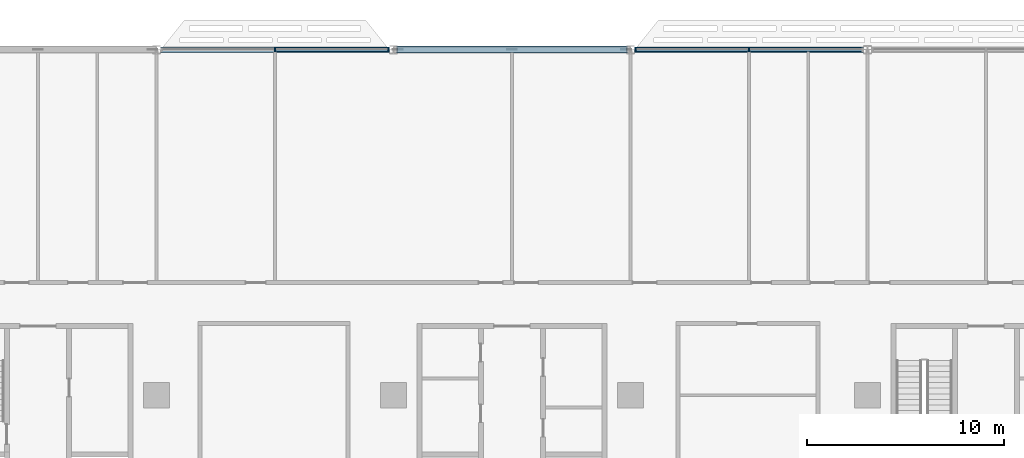
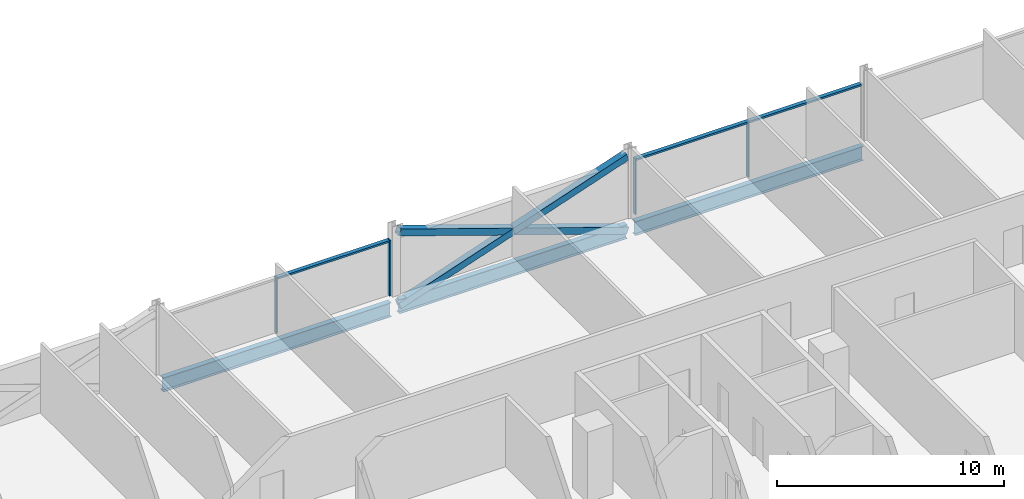
# One storey, part 7 of 29: 10 members, 3 beams, 2 elements without a shape of their own.
"""IFC4 building model written with IfcOpenShell, lengths in metres."""

from ifc_helpers import new_model, si_unit, direction, frame, origin, origin_2d, place, context, subcontext, project, spatial, rectangle, hollow_rectangle, i_section, extrude, material, material_profile, profile_set, type_object, element, aggregate, save


model = new_model("IFC4")

# Units and contexts
model_context = context("Model", 3, precision=1e-05, world=origin(), true_north=direction((0.0, 1.0)))
body_context = subcontext(model_context, "Body", "Model", "MODEL_VIEW")
ifc_project = project(units=[si_unit("LENGTHUNIT", "METRE"), si_unit("AREAUNIT", "SQUARE_METRE"), si_unit("VOLUMEUNIT", "CUBIC_METRE"), si_unit("PLANEANGLEUNIT", "RADIAN"), si_unit("MASSUNIT", "GRAM", prefix="KILO")], contexts=[model_context])

# Site, building, storey
site_placement = place(None, origin())
site = spatial("IfcSite", under=ifc_project, at=site_placement, CompositionType="ELEMENT")
building_placement = place(site_placement, origin())
building = spatial("IfcBuilding", under=site, at=building_placement, Name="Mahtab Terrace Research Tower", CompositionType="ELEMENT")
storey_placement = place(building_placement, frame((0.0, 0.0, 126.10009765625)))
storey = spatial("IfcBuildingStorey", under=building, at=storey_placement, Name="L29", CompositionType="ELEMENT", Elevation=126.10009765625)

# Members
ifc_material_1 = material(Name="Steel ASTM A500 Gr C", Category="steel")
ifc_material_profile_1 = material_profile(ifc_material_1, hollow_rectangle(XDim=0.355712890625, YDim=0.355712890625, WallThickness=0.01904296875, at=origin_2d()), Name="HSS14X14X3/4")
ifc_profile_set_1 = profile_set([ifc_material_profile_1], Name="Steel ASTM A500 Gr C")
member_type_1 = type_object("IfcMemberType", Name="HSS 14x14x3/4 brace XB141434", PredefinedType="BRACE", material=ifc_profile_set_1)
member_1_placement = place(storey_placement, frame((5.794189453125, 29.0, -0.648193359375), z_axis=(-0.946294377485, 0.0, 0.323306280699), x_axis=(0.0, -1.0, 0.0)))
element("IfcMember", 1, at=member_1_placement, inside=storey, type_object=member_type_1, Name="Exoskeleton brace L29 04 a", PredefinedType="BRACE", context=body_context, shape_type="SweptSolid", body=[
    extrude(hollow_rectangle(XDim=0.355712890625, YDim=0.355712890625, WallThickness=0.01904296875, at=origin_2d()), origin(), (0.0, 0.0, 1.0), 12.24609375),
])
for number, where, z_axis, x_axis, name in (
    (2, (-5.794189453125, 29.0, -0.648193359375), (0.946288278, 0.0, 0.323324132908), (0.0, 1.0, 0.0), "Exoskeleton brace L29 04 b1"),
    (3, (0.0, 29.0, 1.33154296875), (0.946300476713, 0.0, 0.323288428146), (0.0, 1.0, 0.0), "Exoskeleton brace L29 04 b2"),
):
    element("IfcMember", number, at=place(storey_placement, frame(where, z_axis=z_axis, x_axis=x_axis)), inside=storey, type_object=member_type_1, Name=name, PredefinedType="BRACE", context=body_context, shape_type="SweptSolid", body=[
        extrude(hollow_rectangle(XDim=0.355712890625, YDim=0.355712890625, WallThickness=0.01904296875, at=origin_2d()), origin(), (0.0, 0.0, 1.0), 6.123046875),
    ])

# Curtain wall, members
ifc_material_2 = material(Name="Laboratory ribbon curtain wall")
curtain_wall_type = type_object("IfcCurtainWallType", Name="Laboratory ribbon curtain wall", PredefinedType="NOTDEFINED", material=ifc_material_2)
curtain_wall_1_placement = place(storey_placement, origin())
curtain_wall_1 = element("IfcCurtainWall", 4, at=curtain_wall_1_placement, inside=storey, type_object=curtain_wall_type, Name="EN.L29.3.5", PredefinedType="NOTDEFINED")
ifc_material_3 = material(Name="Natural anodised aluminium", Category="aluminium")
ifc_material_profile_2 = material_profile(ifc_material_3, rectangle(XDim=0.199951171875, YDim=0.06494140625, at=origin_2d()), Name="MULLION 65x200")
ifc_profile_set_2 = profile_set([ifc_material_profile_2], Name="Natural anodised aluminium")
member_type_2 = type_object("IfcMemberType", Name="Laboratory ribbon curtain wall mullion", PredefinedType="MULLION", material=ifc_profile_set_2)
member_2_placement = place(storey_placement, frame((12.0, 29.0, 0.0), z_axis=(0.0, 0.0, 1.0), x_axis=(0.0, -1.0, 0.0)))
member_2 = element("IfcMember", 5, at=member_2_placement, type_object=member_type_2, Name="CWL-4 mullion 2", PredefinedType="MULLION", context=body_context, shape_type="SweptSolid", body=[
    extrude(rectangle(XDim=0.199951171875, YDim=0.06494140625, at=origin_2d()), origin(), (0.0, 0.0, 1.0), 3.0029296875),
])
member_3_placement = place(storey_placement, frame((6.25048828125, 29.0, 0.0), z_axis=(0.0, 0.0, 1.0), x_axis=(0.0, -1.0, 0.0)))
member_3 = element("IfcMember", 6, at=member_3_placement, type_object=member_type_2, Name="CWL-4 mullion 3", PredefinedType="MULLION", context=body_context, shape_type="SweptSolid", body=[
    extrude(rectangle(XDim=0.199951171875, YDim=0.06494140625, at=origin_2d()), origin(), (0.0, 0.0, 1.0), 3.0029296875),
])

curtain_wall_2_placement = place(storey_placement, origin())
curtain_wall_2 = element("IfcCurtainWall", 7, at=curtain_wall_2_placement, inside=storey, type_object=curtain_wall_type, Name="EN.L29.3.7", PredefinedType="NOTDEFINED")
member_4_placement = place(storey_placement, frame((-6.25048828125, 29.0, 0.0), z_axis=(0.0, 0.0, 1.0), x_axis=(0.0, -1.0, 0.0)))
member_4 = element("IfcMember", 8, at=member_4_placement, type_object=member_type_2, Name="CWL-4 mullion 1", PredefinedType="MULLION", context=body_context, shape_type="SweptSolid", body=[
    extrude(rectangle(XDim=0.199951171875, YDim=0.06494140625, at=origin_2d()), origin(), (0.0, 0.0, 1.0), 3.0029296875),
])
member_5_placement = place(storey_placement, frame((-12.0, 29.0, 0.0), z_axis=(0.0, 0.0, 1.0), x_axis=(0.0, -1.0, 0.0)))
member_5 = element("IfcMember", 9, at=member_5_placement, type_object=member_type_2, Name="CWL-4 mullion 2", PredefinedType="MULLION", context=body_context, shape_type="SweptSolid", body=[
    extrude(rectangle(XDim=0.199951171875, YDim=0.06494140625, at=origin_2d()), origin(), (0.0, 0.0, 1.0), 3.0029296875),
])

# Member
ifc_material_profile_3 = material_profile(ifc_material_3, rectangle(XDim=0.199951171875, YDim=0.10009765625, at=origin_2d()), Name="TRANSOM 100x200")
ifc_profile_set_3 = profile_set([ifc_material_profile_3], Name="Natural anodised aluminium")
member_type_3 = type_object("IfcMemberType", Name="Laboratory ribbon curtain wall transom", PredefinedType="USERDEFINED", material=ifc_profile_set_3)
member_6_placement = place(storey_placement, frame((17.717041015625, 29.0, 2.952880859375), z_axis=(-1.0, 0.0, 0.0), x_axis=(0.0, -1.0, 0.0)))
member_6 = element("IfcMember", 10, at=member_6_placement, type_object=member_type_3, Name="CWL-4 transom 1", ObjectType="TRANSOM", PredefinedType="USERDEFINED", context=body_context, shape_type="SweptSolid", body=[
    extrude(rectangle(XDim=0.199951171875, YDim=0.10009765625, at=origin_2d()), origin(), (0.0, 0.0, 1.0), 5.6845703125),
])

member_7_placement = place(storey_placement, frame((11.967529296875, 29.0, 2.952880859375), z_axis=(-1.0, 0.0, 0.0), x_axis=(0.0, -1.0, 0.0)))
member_7 = element("IfcMember", 11, at=member_7_placement, type_object=member_type_3, Name="CWL-4 transom 2", ObjectType="TRANSOM", PredefinedType="USERDEFINED", context=body_context, shape_type="SweptSolid", body=[
    extrude(rectangle(XDim=0.199951171875, YDim=0.10009765625, at=origin_2d()), origin(), (0.0, 0.0, 1.0), 5.6845703125),
])

aggregate(curtain_wall_1, [member_2, member_3, member_6, member_7])

member_8_placement = place(storey_placement, frame((-6.282958984375, 29.0, 2.952880859375), z_axis=(-1.0, 0.0, 0.0), x_axis=(0.0, -1.0, 0.0)))
member_8 = element("IfcMember", 12, at=member_8_placement, type_object=member_type_3, Name="CWL-4 transom 1", ObjectType="TRANSOM", PredefinedType="USERDEFINED", context=body_context, shape_type="SweptSolid", body=[
    extrude(rectangle(XDim=0.199951171875, YDim=0.10009765625, at=origin_2d()), origin(), (0.0, 0.0, 1.0), 5.6845703125),
])

aggregate(curtain_wall_2, [member_4, member_5, member_8])

# Beams
ifc_material_4 = material(Name="Steel ASTM A992 Gr 50", Category="steel")
ifc_material_profile_4 = material_profile(ifc_material_4, i_section(OverallWidth=0.2666015625, OverallDepth=0.7568359375, WebThickness=0.013916015625, FlangeThickness=0.019287109375, at=origin_2d()), Name="W30X108")
ifc_profile_set_4 = profile_set([ifc_material_profile_4], Name="Steel ASTM A992 Gr 50")
beam_type = type_object("IfcBeamType", Name="W30x108 beam BS30108", PredefinedType="BEAM", material=ifc_profile_set_4)
for number, where, z_axis, x_axis, name in (
    (13, (17.794189453125, 29.0, -0.718505859375), (-1.0, 0.0, 0.0), (0.0, -1.0, 0.0), "Spandrel beam L29 03"),
    (14, (5.794189453125, 29.0, -0.718505859375), (-1.0, 0.0, 0.0), (0.0, -1.0, 0.0), "Spandrel beam L29 04"),
    (15, (-6.205810546875, 29.0, -0.718505859375), (-1.0, 0.0, 0.0), (0.0, -1.0, 0.0), "Spandrel beam L29 05"),
):
    element("IfcBeam", number, at=place(storey_placement, frame(where, z_axis=z_axis, x_axis=x_axis)), inside=storey, type_object=beam_type, Name=name, PredefinedType="BEAM", context=body_context, shape_type="SweptSolid", body=[
        extrude(i_section(OverallWidth=0.2666015625, OverallDepth=0.7568359375, WebThickness=0.013916015625, FlangeThickness=0.019287109375, at=origin_2d()), origin(), (0.0, 0.0, 1.0), 11.58837890625),
    ])

save(model, "model.ifc")
